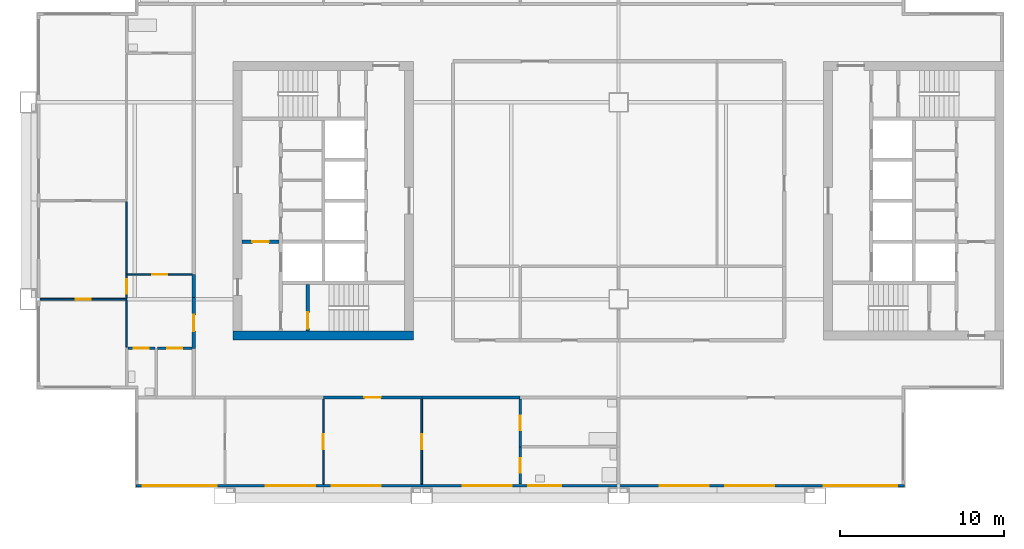
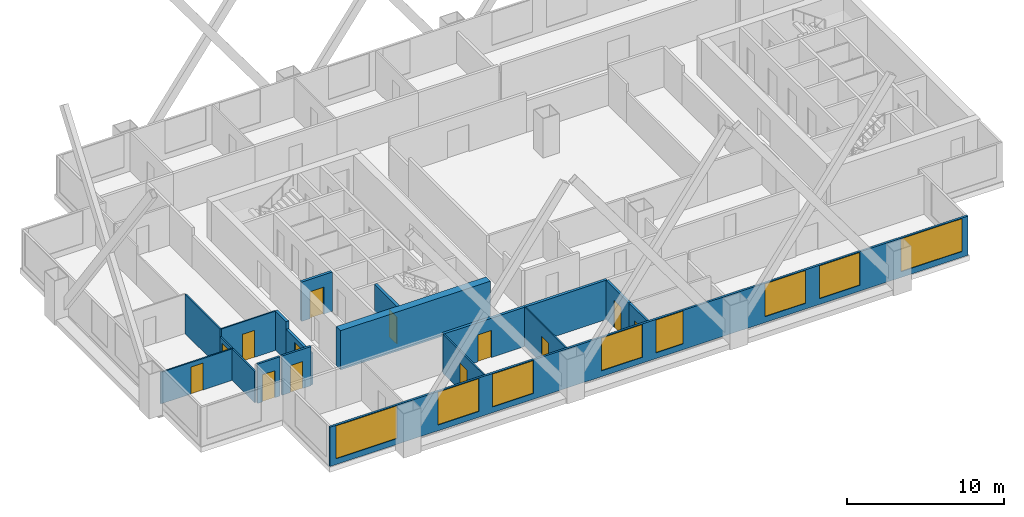
# One storey, part 2 of 8: 19 walls, 13 doors, 8 windows, 21 openings.
"""IFC4 building model written with IfcOpenShell, lengths in metres."""

from ifc_helpers import new_model, si_unit, direction, frame, frame_2d, origin, place, context, subcontext, project, spatial, rectangle, extrude, material, layer, layer_set, type_object, element, fill, save


model = new_model("IFC4")

# Units and contexts
model_context = context("Model", 3, precision=1e-05, world=origin(), true_north=direction((0.0, 1.0)))
body_context = subcontext(model_context, "Body", "Model", "MODEL_VIEW")
ifc_project = project(units=[si_unit("LENGTHUNIT", "METRE"), si_unit("AREAUNIT", "SQUARE_METRE"), si_unit("VOLUMEUNIT", "CUBIC_METRE"), si_unit("PLANEANGLEUNIT", "RADIAN"), si_unit("MASSUNIT", "GRAM", prefix="KILO")], contexts=[model_context])

# Site, building, storey
site_placement = place(None, origin())
site = spatial("IfcSite", under=ifc_project, at=site_placement, CompositionType="ELEMENT")
building_placement = place(site_placement, origin())
building = spatial("IfcBuilding", under=site, at=building_placement, Name="Kitamizu Gate Tower and Museum", CompositionType="ELEMENT")
storey_placement = place(building_placement, frame((0.0, 0.0, 158.25)))
storey = spatial("IfcBuildingStorey", under=building, at=storey_placement, Name="L41", CompositionType="ELEMENT", Elevation=158.25)

# Wall
ifc_material_1 = material(Name="Concrete Fc42", Category="concrete")
ifc_layer_1 = layer(ifc_material_1, 0.550048828125)
ifc_layer_set_1 = layer_set([ifc_layer_1], Name="Concrete Fc42")
wall_type_1 = type_object("IfcWallType", Name="Core wall 550", PredefinedType="SHEAR", material=ifc_layer_set_1)
wall_1_placement = place(storey_placement, frame((12.5, 21.77490234375, 0.0), z_axis=(0.0, 0.0, 1.0), x_axis=(1.0, 0.0, 0.0)))
element("IfcWall", 1, at=wall_1_placement, inside=storey, type_object=wall_type_1, Name="Core wall WS", PredefinedType="SHEAR", context=body_context, shape_type="SweptSolid", body=[
    extrude(rectangle(XDim=11.0, YDim=0.550048828125, at=frame_2d((5.5, 0.0))), origin(), (0.0, 0.0, 1.0), 3.050048828125),
])

# Wall, opening, door
ifc_material_2 = material(Name="Gypsum board on galvanised stud")
ifc_layer_2 = layer(ifc_material_2, 0.10009765625)
ifc_layer_set_2 = layer_set([ifc_layer_2], Name="Gypsum board on galvanised stud")
wall_type_2 = type_object("IfcWallType", Name="Partition 100 NOT RATED", PredefinedType="PARTITIONING", material=ifc_layer_set_2)
wall_2_placement = place(storey_placement, frame((18.0, 12.719970703125, 0.0), z_axis=(0.0, 0.0, 1.0), x_axis=(0.0, 1.0, 0.0)))
wall_2 = element("IfcWall", 2, at=wall_2_placement, inside=storey, type_object=wall_type_2, Name="Partition L41-005", PredefinedType="PARTITIONING", context=body_context, shape_type="SweptSolid", body=[
    extrude(rectangle(XDim=5.179931640625, YDim=0.10009765625, at=frame_2d((2.58984375, 0.0))), origin(), (0.0, 0.0, 1.0), 3.050048828125),
])
opening_1_placement = place(wall_2_placement, frame((2.139892578125, 0.0, 0.0)))
opening_1 = element("IfcOpeningElement", 3, at=opening_1_placement, cuts=wall_2, Name="Opening L41-002", PredefinedType="OPENING", context=body_context, shape_type="SweptSolid", body=[
    extrude(rectangle(XDim=0.89990234375, YDim=2.10009765625, at=frame_2d((0.449951171875, 1.050048828125))), frame((0.0, 0.06005859375, 0.0), z_axis=(0.0, -1.0, 0.0), x_axis=(1.0, 0.0, 0.0)), (0.0, 0.0, 1.0), 0.1201171875),
])
ifc_material_3 = material(Name="Timber door set", Category="wood")
door_type_1 = type_object("IfcDoorType", Name="Room door 900", OperationType="NOTDEFINED", PredefinedType="DOOR", material=ifc_material_3)
door_1_placement = place(opening_1_placement, origin())
door_1 = element("IfcDoor", 4, at=door_1_placement, inside=storey, type_object=door_type_1, Name="Door L41-002", OperationType="SINGLE_SWING_LEFT", OverallHeight=2.10009765625, OverallWidth=0.89990234375, PredefinedType="DOOR", context=body_context, shape_type="SweptSolid", body=[
    extrude(rectangle(XDim=0.89990234375, YDim=2.10009765625, at=frame_2d((0.449951171875, 1.050048828125))), frame((0.0, 0.02490234375, 0.0), z_axis=(0.0, -1.0, 0.0), x_axis=(1.0, 0.0, 0.0)), (0.0, 0.0, 1.0), 0.050048828125),
])
fill(opening_1, door_1)

wall_3_placement = place(storey_placement, frame((24.0, 12.719970703125, 0.0), z_axis=(0.0, 0.0, 1.0), x_axis=(0.0, 1.0, 0.0)))
wall_3 = element("IfcWall", 5, at=wall_3_placement, inside=storey, type_object=wall_type_2, Name="Partition L41-007", PredefinedType="PARTITIONING", context=body_context, shape_type="SweptSolid", body=[
    extrude(rectangle(XDim=5.179931640625, YDim=0.10009765625, at=frame_2d((2.58984375, 0.0))), origin(), (0.0, 0.0, 1.0), 3.050048828125),
])
opening_2_placement = place(wall_3_placement, frame((2.139892578125, 0.0, 0.0)))
opening_2 = element("IfcOpeningElement", 6, at=opening_2_placement, cuts=wall_3, Name="Opening L41-003", PredefinedType="OPENING", context=body_context, shape_type="SweptSolid", body=[
    extrude(rectangle(XDim=0.89990234375, YDim=2.10009765625, at=frame_2d((0.449951171875, 1.050048828125))), frame((0.0, 0.06005859375, 0.0), z_axis=(0.0, -1.0, 0.0), x_axis=(1.0, 0.0, 0.0)), (0.0, 0.0, 1.0), 0.1201171875),
])
door_2_placement = place(opening_2_placement, frame((0.89990234375, 0.0, 0.0), x_axis=(-1.0, 0.0, 0.0)))
door_2 = element("IfcDoor", 7, at=door_2_placement, inside=storey, type_object=door_type_1, Name="Door L41-003", OperationType="SINGLE_SWING_LEFT", OverallHeight=2.10009765625, OverallWidth=0.89990234375, PredefinedType="DOOR", context=body_context, shape_type="SweptSolid", body=[
    extrude(rectangle(XDim=0.89990234375, YDim=2.10009765625, at=frame_2d((0.449951171875, 1.050048828125))), frame((0.0, 0.02490234375, 0.0), z_axis=(0.0, -1.0, 0.0), x_axis=(1.0, 0.0, 0.0)), (0.0, 0.0, 1.0), 0.050048828125),
])
fill(opening_2, door_2)

wall_4_placement = place(storey_placement, frame((6.0, 24.0, 0.0), z_axis=(0.0, 0.0, 1.0), x_axis=(-1.0, 0.0, 0.0)))
wall_4 = element("IfcWall", 8, at=wall_4_placement, inside=storey, type_object=wall_type_2, Name="Partition L41-027", PredefinedType="PARTITIONING", context=body_context, shape_type="SweptSolid", body=[
    extrude(rectangle(XDim=5.280029296875, YDim=0.10009765625, at=frame_2d((2.64013671875, 0.0))), origin(), (0.0, 0.0, 1.0), 2.449951171875),
])
opening_3_placement = place(wall_4_placement, frame((2.18994140625, 0.0, 0.0)))
opening_3 = element("IfcOpeningElement", 9, at=opening_3_placement, cuts=wall_4, Name="Opening L41-016", PredefinedType="OPENING", context=body_context, shape_type="SweptSolid", body=[
    extrude(rectangle(XDim=0.89990234375, YDim=2.10009765625, at=frame_2d((0.449951171875, 1.050048828125))), frame((0.0, 0.06005859375, 0.0), z_axis=(0.0, -1.0, 0.0), x_axis=(1.0, 0.0, 0.0)), (0.0, 0.0, 1.0), 0.1201171875),
])
door_3_placement = place(opening_3_placement, origin())
door_3 = element("IfcDoor", 10, at=door_3_placement, inside=storey, type_object=door_type_1, Name="Door L41-016", OperationType="SINGLE_SWING_LEFT", OverallHeight=2.10009765625, OverallWidth=0.89990234375, PredefinedType="DOOR", context=body_context, shape_type="SweptSolid", body=[
    extrude(rectangle(XDim=0.89990234375, YDim=2.10009765625, at=frame_2d((0.449951171875, 1.050048828125))), frame((0.0, 0.02490234375, 0.0), z_axis=(0.0, -1.0, 0.0), x_axis=(1.0, 0.0, 0.0)), (0.0, 0.0, 1.0), 0.050048828125),
])
fill(opening_3, door_3)

# Wall
wall_5_placement = place(storey_placement, frame((6.0, 21.074951171875, 0.0), z_axis=(0.0, 0.0, 1.0), x_axis=(0.0, 1.0, 0.0)))
element("IfcWall", 11, at=wall_5_placement, inside=storey, type_object=wall_type_2, Name="Partition L41-029", PredefinedType="PARTITIONING", context=body_context, shape_type="SweptSolid", body=[
    extrude(rectangle(XDim=2.875, YDim=0.10009765625, at=frame_2d((1.4375, 0.0))), origin(), (0.0, 0.0, 1.0), 2.449951171875),
])

# Wall, opening, door
wall_6_placement = place(storey_placement, frame((6.0, 24.050048828125, 0.0), z_axis=(0.0, 0.0, 1.0), x_axis=(0.0, 1.0, 0.0)))
wall_6 = element("IfcWall", 12, at=wall_6_placement, inside=storey, type_object=wall_type_2, Name="Partition L41-031", PredefinedType="PARTITIONING", context=body_context, shape_type="SweptSolid", body=[
    extrude(rectangle(XDim=1.449951171875, YDim=0.10009765625, at=frame_2d((0.72509765625, 0.0))), origin(), (0.0, 0.0, 1.0), 2.449951171875),
])
opening_4_placement = place(wall_6_placement, frame((0.27490234375, 0.0, 0.0)))
opening_4 = element("IfcOpeningElement", 13, at=opening_4_placement, cuts=wall_6, Name="Opening L41-013", PredefinedType="OPENING", context=body_context, shape_type="SweptSolid", body=[
    extrude(rectangle(XDim=0.89990234375, YDim=2.10009765625, at=frame_2d((0.449951171875, 1.050048828125))), frame((0.0, 0.06005859375, 0.0), z_axis=(0.0, -1.0, 0.0), x_axis=(1.0, 0.0, 0.0)), (0.0, 0.0, 1.0), 0.1201171875),
])
door_4_placement = place(opening_4_placement, origin())
door_4 = element("IfcDoor", 14, at=door_4_placement, inside=storey, type_object=door_type_1, Name="Door L41-013", OperationType="SINGLE_SWING_RIGHT", OverallHeight=2.10009765625, OverallWidth=0.89990234375, PredefinedType="DOOR", context=body_context, shape_type="SweptSolid", body=[
    extrude(rectangle(XDim=0.89990234375, YDim=2.10009765625, at=frame_2d((0.449951171875, 1.050048828125))), frame((0.0, 0.02490234375, 0.0), z_axis=(0.0, -1.0, 0.0), x_axis=(1.0, 0.0, 0.0)), (0.0, 0.0, 1.0), 0.050048828125),
])
fill(opening_4, door_4)

# Wall
wall_7_placement = place(storey_placement, frame((6.0, 25.5, 0.0), z_axis=(0.0, 0.0, 1.0), x_axis=(0.0, 1.0, 0.0)))
element("IfcWall", 15, at=wall_7_placement, inside=storey, type_object=wall_type_2, Name="Partition L41-032", PredefinedType="PARTITIONING", context=body_context, shape_type="SweptSolid", body=[
    extrude(rectangle(XDim=4.449951171875, YDim=0.10009765625, at=frame_2d((2.22509765625, 0.0))), origin(), (0.0, 0.0, 1.0), 3.050048828125),
])

# Wall, opening, door
wall_8_placement = place(storey_placement, frame((10.0, 25.5, 0.0), z_axis=(0.0, 0.0, 1.0), x_axis=(-1.0, 0.0, 0.0)))
wall_8 = element("IfcWall", 16, at=wall_8_placement, inside=storey, type_object=wall_type_2, Name="Partition L41-040", PredefinedType="PARTITIONING", context=body_context, shape_type="SweptSolid", body=[
    extrude(rectangle(XDim=3.949951171875, YDim=0.10009765625, at=frame_2d((1.97509765625, 0.0))), origin(), (0.0, 0.0, 1.0), 3.050048828125),
])
opening_5_placement = place(wall_8_placement, frame((1.52490234375, 0.0, 0.0)))
opening_5 = element("IfcOpeningElement", 17, at=opening_5_placement, cuts=wall_8, Name="Opening L41-014", PredefinedType="OPENING", context=body_context, shape_type="SweptSolid", body=[
    extrude(rectangle(XDim=0.89990234375, YDim=2.10009765625, at=frame_2d((0.449951171875, 1.050048828125))), frame((0.0, 0.06005859375, 0.0), z_axis=(0.0, -1.0, 0.0), x_axis=(1.0, 0.0, 0.0)), (0.0, 0.0, 1.0), 0.1201171875),
])
door_5_placement = place(opening_5_placement, origin())
door_5 = element("IfcDoor", 18, at=door_5_placement, inside=storey, type_object=door_type_1, Name="Door L41-014", OperationType="SINGLE_SWING_LEFT", OverallHeight=2.10009765625, OverallWidth=0.89990234375, PredefinedType="DOOR", context=body_context, shape_type="SweptSolid", body=[
    extrude(rectangle(XDim=0.89990234375, YDim=2.10009765625, at=frame_2d((0.449951171875, 1.050048828125))), frame((0.0, 0.02490234375, 0.0), z_axis=(0.0, -1.0, 0.0), x_axis=(1.0, 0.0, 0.0)), (0.0, 0.0, 1.0), 0.050048828125),
])
fill(opening_5, door_5)

ifc_material_4 = material(Name="Gypsum board on galvanised stud")
ifc_layer_3 = layer(ifc_material_4, 0.14990234375)
ifc_layer_set_3 = layer_set([ifc_layer_3], Name="Gypsum board on galvanised stud")
wall_type_3 = type_object("IfcWallType", Name="Partition 150", PredefinedType="PARTITIONING", material=ifc_layer_set_3)
wall_9_placement = place(storey_placement, frame((30.0, 12.719970703125, 0.0), z_axis=(0.0, 0.0, 1.0), x_axis=(0.0, 1.0, 0.0)))
wall_9 = element("IfcWall", 19, at=wall_9_placement, inside=storey, type_object=wall_type_3, Name="Partition L41-009", PredefinedType="PARTITIONING", context=body_context, shape_type="SweptSolid", body=[
    extrude(rectangle(XDim=2.280029296875, YDim=0.14990234375, at=frame_2d((1.14013671875, 0.0))), origin(), (0.0, 0.0, 1.0), 3.050048828125),
])
opening_6_placement = place(wall_9_placement, frame((0.68994140625, 0.0, 0.0)))
opening_6 = element("IfcOpeningElement", 20, at=opening_6_placement, cuts=wall_9, Name="Opening L41-004", PredefinedType="OPENING", context=body_context, shape_type="SweptSolid", body=[
    extrude(rectangle(XDim=0.89990234375, YDim=2.10009765625, at=frame_2d((0.449951171875, 1.050048828125))), frame((0.0, 0.0849609375, 0.0), z_axis=(0.0, -1.0, 0.0), x_axis=(1.0, 0.0, 0.0)), (0.0, 0.0, 1.0), 0.169921875),
])
ifc_material_5 = material(Name="Timber door set", Category="wood")
door_type_2 = type_object("IfcDoorType", Name="Bathroom door 900", OperationType="NOTDEFINED", PredefinedType="DOOR", material=ifc_material_5)
door_6_placement = place(opening_6_placement, frame((0.89990234375, 0.0, 0.0), x_axis=(-1.0, 0.0, 0.0)))
door_6 = element("IfcDoor", 21, at=door_6_placement, inside=storey, type_object=door_type_2, Name="Bathroom door L41-004", OperationType="SINGLE_SWING_RIGHT", OverallHeight=2.10009765625, OverallWidth=0.89990234375, PredefinedType="DOOR", context=body_context, shape_type="SweptSolid", body=[
    extrude(rectangle(XDim=0.89990234375, YDim=2.10009765625, at=frame_2d((0.449951171875, 1.050048828125))), frame((0.0, 0.02490234375, 0.0), z_axis=(0.0, -1.0, 0.0), x_axis=(1.0, 0.0, 0.0)), (0.0, 0.0, 1.0), 0.050048828125),
])
fill(opening_6, door_6)

wall_10_placement = place(storey_placement, frame((30.0, 15.0, 0.0), z_axis=(0.0, 0.0, 1.0), x_axis=(0.0, 1.0, 0.0)))
wall_10 = element("IfcWall", 22, at=wall_10_placement, inside=storey, type_object=wall_type_3, Name="Partition L41-010", PredefinedType="PARTITIONING", context=body_context, shape_type="SweptSolid", body=[
    extrude(rectangle(XDim=2.89990234375, YDim=0.14990234375, at=frame_2d((1.449951171875, 0.0))), origin(), (0.0, 0.0, 1.0), 3.050048828125),
])
opening_7_placement = place(wall_10_placement, frame((1.0, 0.0, 0.0)))
opening_7 = element("IfcOpeningElement", 23, at=opening_7_placement, cuts=wall_10, Name="Opening L41-006", PredefinedType="OPENING", context=body_context, shape_type="SweptSolid", body=[
    extrude(rectangle(XDim=0.89990234375, YDim=2.10009765625, at=frame_2d((0.449951171875, 1.050048828125))), frame((0.0, 0.0849609375, 0.0), z_axis=(0.0, -1.0, 0.0), x_axis=(1.0, 0.0, 0.0)), (0.0, 0.0, 1.0), 0.169921875),
])
door_7_placement = place(opening_7_placement, frame((0.89990234375, 0.0, 0.0), x_axis=(-1.0, 0.0, 0.0)))
door_7 = element("IfcDoor", 24, at=door_7_placement, inside=storey, type_object=door_type_2, Name="Bathroom door L41-006", OperationType="SINGLE_SWING_RIGHT", OverallHeight=2.10009765625, OverallWidth=0.89990234375, PredefinedType="DOOR", context=body_context, shape_type="SweptSolid", body=[
    extrude(rectangle(XDim=0.89990234375, YDim=2.10009765625, at=frame_2d((0.449951171875, 1.050048828125))), frame((0.0, 0.02490234375, 0.0), z_axis=(0.0, -1.0, 0.0), x_axis=(1.0, 0.0, 0.0)), (0.0, 0.0, 1.0), 0.050048828125),
])
fill(opening_7, door_7)

wall_11_placement = place(storey_placement, frame((7.72509765625, 21.0, 0.0), z_axis=(0.0, 0.0, 1.0), x_axis=(-1.0, 0.0, 0.0)))
wall_11 = element("IfcWall", 25, at=wall_11_placement, inside=storey, type_object=wall_type_3, Name="Partition L41-037", PredefinedType="PARTITIONING", context=body_context, shape_type="SweptSolid", body=[
    extrude(rectangle(XDim=1.650146484375, YDim=0.14990234375, at=frame_2d((0.8251953125, 0.0))), origin(), (0.0, 0.0, 1.0), 3.050048828125),
])
opening_8_placement = place(wall_11_placement, frame((0.375, 0.0, 0.0)))
opening_8 = element("IfcOpeningElement", 26, at=opening_8_placement, cuts=wall_11, Name="Opening L41-017", PredefinedType="OPENING", context=body_context, shape_type="SweptSolid", body=[
    extrude(rectangle(XDim=0.89990234375, YDim=2.10009765625, at=frame_2d((0.449951171875, 1.050048828125))), frame((0.0, 0.0849609375, 0.0), z_axis=(0.0, -1.0, 0.0), x_axis=(1.0, 0.0, 0.0)), (0.0, 0.0, 1.0), 0.169921875),
])
door_8_placement = place(opening_8_placement, origin())
door_8 = element("IfcDoor", 27, at=door_8_placement, inside=storey, type_object=door_type_2, Name="Bathroom door L41-017", OperationType="SINGLE_SWING_RIGHT", OverallHeight=2.10009765625, OverallWidth=0.89990234375, PredefinedType="DOOR", context=body_context, shape_type="SweptSolid", body=[
    extrude(rectangle(XDim=0.89990234375, YDim=2.10009765625, at=frame_2d((0.449951171875, 1.050048828125))), frame((0.0, 0.02490234375, 0.0), z_axis=(0.0, -1.0, 0.0), x_axis=(1.0, 0.0, 0.0)), (0.0, 0.0, 1.0), 0.050048828125),
])
fill(opening_8, door_8)

wall_12_placement = place(storey_placement, frame((10.0, 21.0, 0.0), z_axis=(0.0, 0.0, 1.0), x_axis=(-1.0, 0.0, 0.0)))
wall_12 = element("IfcWall", 28, at=wall_12_placement, inside=storey, type_object=wall_type_3, Name="Partition L41-038", PredefinedType="PARTITIONING", context=body_context, shape_type="SweptSolid", body=[
    extrude(rectangle(XDim=2.125, YDim=0.14990234375, at=frame_2d((1.0625, 0.0))), origin(), (0.0, 0.0, 1.0), 3.050048828125),
])
opening_9_placement = place(wall_12_placement, frame((0.612548828125, 0.0, 0.0)))
opening_9 = element("IfcOpeningElement", 29, at=opening_9_placement, cuts=wall_12, Name="Opening L41-018", PredefinedType="OPENING", context=body_context, shape_type="SweptSolid", body=[
    extrude(rectangle(XDim=0.89990234375, YDim=2.10009765625, at=frame_2d((0.449951171875, 1.050048828125))), frame((0.0, 0.0849609375, 0.0), z_axis=(0.0, -1.0, 0.0), x_axis=(1.0, 0.0, 0.0)), (0.0, 0.0, 1.0), 0.169921875),
])
door_9_placement = place(opening_9_placement, origin())
door_9 = element("IfcDoor", 30, at=door_9_placement, inside=storey, type_object=door_type_2, Name="Bathroom door L41-018", OperationType="SINGLE_SWING_LEFT", OverallHeight=2.10009765625, OverallWidth=0.89990234375, PredefinedType="DOOR", context=body_context, shape_type="SweptSolid", body=[
    extrude(rectangle(XDim=0.89990234375, YDim=2.10009765625, at=frame_2d((0.449951171875, 1.050048828125))), frame((0.0, 0.02490234375, 0.0), z_axis=(0.0, -1.0, 0.0), x_axis=(1.0, 0.0, 0.0)), (0.0, 0.0, 1.0), 0.050048828125),
])
fill(opening_9, door_9)

ifc_material_6 = material(Name="Gypsum board on galvanised stud")
ifc_layer_4 = layer(ifc_material_6, 0.199951171875)
ifc_layer_set_4 = layer_set([ifc_layer_4], Name="Gypsum board on galvanised stud")
wall_type_4 = type_object("IfcWallType", Name="Partition 200", PredefinedType="PARTITIONING", material=ifc_layer_set_4)
wall_13_placement = place(storey_placement, frame((24.0, 18.0, 0.0), z_axis=(0.0, 0.0, 1.0), x_axis=(-1.0, 0.0, 0.0)))
wall_13 = element("IfcWall", 31, at=wall_13_placement, inside=storey, type_object=wall_type_4, Name="Partition L41-008", PredefinedType="PARTITIONING", context=body_context, shape_type="SweptSolid", body=[
    extrude(rectangle(XDim=6.0, YDim=0.199951171875, at=frame_2d((3.0, 0.0))), origin(), (0.0, 0.0, 1.0), 3.050048828125),
])
opening_10_placement = place(wall_13_placement, frame((2.5, 0.0, 0.0)))
opening_10 = element("IfcOpeningElement", 32, at=opening_10_placement, cuts=wall_13, Name="Opening L41-001", PredefinedType="OPENING", context=body_context, shape_type="SweptSolid", body=[
    extrude(rectangle(XDim=1.0, YDim=2.10009765625, at=frame_2d((0.5, 1.050048828125))), frame((0.0, 0.10986328125, 0.0), z_axis=(0.0, -1.0, 0.0), x_axis=(1.0, 0.0, 0.0)), (0.0, 0.0, 1.0), 0.219970703125),
])
ifc_material_7 = material(Name="Timber door set", Category="wood")
door_type_3 = type_object("IfcDoorType", Name="Flat entrance door 1000", OperationType="NOTDEFINED", PredefinedType="DOOR", material=ifc_material_7)
door_10_placement = place(opening_10_placement, origin())
door_10 = element("IfcDoor", 33, at=door_10_placement, inside=storey, type_object=door_type_3, Name="Flat entrance door L41-001", OperationType="SINGLE_SWING_RIGHT", OverallHeight=2.10009765625, OverallWidth=1.0, PredefinedType="DOOR", context=body_context, shape_type="SweptSolid", body=[
    extrude(rectangle(XDim=1.0, YDim=2.10009765625, at=frame_2d((0.5, 1.050048828125))), frame((0.0, 0.02490234375, 0.0), z_axis=(0.0, -1.0, 0.0), x_axis=(1.0, 0.0, 0.0)), (0.0, 0.0, 1.0), 0.050048828125),
])
fill(opening_10, door_10)

# Wall
wall_14_placement = place(storey_placement, frame((30.0, 18.0, 0.0), z_axis=(0.0, 0.0, 1.0), x_axis=(-1.0, 0.0, 0.0)))
element("IfcWall", 34, at=wall_14_placement, inside=storey, type_object=wall_type_4, Name="Partition L41-011", PredefinedType="PARTITIONING", context=body_context, shape_type="SweptSolid", body=[
    extrude(rectangle(XDim=6.0, YDim=0.199951171875, at=frame_2d((3.0, 0.0))), origin(), (0.0, 0.0, 1.0), 3.050048828125),
])

# Wall, opening, door
wall_15_placement = place(storey_placement, frame((10.10009765625, 21.0, 0.0), z_axis=(0.0, 0.0, 1.0), x_axis=(0.0, 1.0, 0.0)))
wall_15 = element("IfcWall", 35, at=wall_15_placement, inside=storey, type_object=wall_type_4, Name="Partition L41-041", PredefinedType="PARTITIONING", context=body_context, shape_type="SweptSolid", body=[
    extrude(rectangle(XDim=3.10009765625, YDim=0.199951171875, at=frame_2d((1.550048828125, 0.0))), origin(), (0.0, 0.0, 1.0), 2.449951171875),
])
opening_11_placement = place(wall_15_placement, frame((1.050048828125, 0.0, 0.0)))
opening_11 = element("IfcOpeningElement", 36, at=opening_11_placement, cuts=wall_15, Name="Opening L41-012", PredefinedType="OPENING", context=body_context, shape_type="SweptSolid", body=[
    extrude(rectangle(XDim=1.0, YDim=2.10009765625, at=frame_2d((0.5, 1.050048828125))), frame((0.0, 0.10986328125, 0.0), z_axis=(0.0, -1.0, 0.0), x_axis=(1.0, 0.0, 0.0)), (0.0, 0.0, 1.0), 0.219970703125),
])
door_11_placement = place(opening_11_placement, origin())
door_11 = element("IfcDoor", 37, at=door_11_placement, inside=storey, type_object=door_type_3, Name="Flat entrance door L41-012", OperationType="SINGLE_SWING_RIGHT", OverallHeight=2.10009765625, OverallWidth=1.0, PredefinedType="DOOR", context=body_context, shape_type="SweptSolid", body=[
    extrude(rectangle(XDim=1.0, YDim=2.10009765625, at=frame_2d((0.5, 1.050048828125))), frame((0.0, 0.02490234375, 0.0), z_axis=(0.0, -1.0, 0.0), x_axis=(1.0, 0.0, 0.0)), (0.0, 0.0, 1.0), 0.050048828125),
])
fill(opening_11, door_11)

# Wall
wall_16_placement = place(storey_placement, frame((10.10009765625, 24.10009765625, 0.0), z_axis=(0.0, 0.0, 1.0), x_axis=(0.0, 1.0, 0.0)))
element("IfcWall", 38, at=wall_16_placement, inside=storey, type_object=wall_type_4, Name="Partition L41-042", PredefinedType="PARTITIONING", context=body_context, shape_type="SweptSolid", body=[
    extrude(rectangle(XDim=1.39990234375, YDim=0.199951171875, at=frame_2d((0.699951171875, 0.0))), origin(), (0.0, 0.0, 1.0), 3.050048828125),
])

# Wall, opening, door
ifc_material_8 = material(Name="Concrete Fc42", Category="concrete")
ifc_layer_5 = layer(ifc_material_8, 0.199951171875)
ifc_layer_set_5 = layer_set([ifc_layer_5], Name="Concrete Fc42")
wall_type_5 = type_object("IfcWallType", Name="Shaft wall 200", PredefinedType="SOLIDWALL", material=ifc_layer_set_5)
wall_17_placement = place(storey_placement, frame((13.050048828125, 27.5, 0.0), z_axis=(0.0, 0.0, 1.0), x_axis=(1.0, 0.0, 0.0)))
wall_17 = element("IfcWall", 39, at=wall_17_placement, inside=storey, type_object=wall_type_5, Name="Shaft wall WFFN", PredefinedType="SOLIDWALL", context=body_context, shape_type="SweptSolid", body=[
    extrude(rectangle(XDim=2.25, YDim=0.199951171875, at=frame_2d((1.125, 0.0))), origin(), (0.0, 0.0, 1.0), 3.050048828125),
])
opening_12_placement = place(wall_17_placement, frame((0.625, 0.0, 0.0)))
opening_12 = element("IfcOpeningElement", 40, at=opening_12_placement, cuts=wall_17, Name="Opening L41-031", PredefinedType="OPENING", context=body_context, shape_type="SweptSolid", body=[
    extrude(rectangle(XDim=1.0, YDim=2.10009765625, at=frame_2d((0.5, 1.050048828125))), frame((0.0, 0.10986328125, 0.0), z_axis=(0.0, -1.0, 0.0), x_axis=(1.0, 0.0, 0.0)), (0.0, 0.0, 1.0), 0.219970703125),
])
ifc_material_9 = material(Name="Hollow metal door set")
door_type_4 = type_object("IfcDoorType", Name="Fire door 1000", OperationType="NOTDEFINED", PredefinedType="DOOR", material=ifc_material_9)
door_12_placement = place(opening_12_placement, frame((1.0, 0.0, 0.0), x_axis=(-1.0, 0.0, 0.0)))
door_12 = element("IfcDoor", 41, at=door_12_placement, inside=storey, type_object=door_type_4, Name="Fire-fighting lobby door L41-031", OperationType="SINGLE_SWING_RIGHT", OverallHeight=2.10009765625, OverallWidth=1.0, PredefinedType="DOOR", context=body_context, shape_type="SweptSolid", body=[
    extrude(rectangle(XDim=1.0, YDim=2.10009765625, at=frame_2d((0.5, 1.050048828125))), frame((0.0, 0.02490234375, 0.0), z_axis=(0.0, -1.0, 0.0), x_axis=(1.0, 0.0, 0.0)), (0.0, 0.0, 1.0), 0.050048828125),
])
fill(opening_12, door_12)

wall_18_placement = place(storey_placement, frame((17.050048828125, 22.050048828125, 0.0), z_axis=(0.0, 0.0, 1.0), x_axis=(0.0, 1.0, 0.0)))
wall_18 = element("IfcWall", 42, at=wall_18_placement, inside=storey, type_object=wall_type_5, Name="Shaft wall WSZ", PredefinedType="SOLIDWALL", context=body_context, shape_type="SweptSolid", body=[
    extrude(rectangle(XDim=2.849853515625, YDim=0.199951171875, at=frame_2d((1.4248046875, 0.0))), origin(), (0.0, 0.0, 1.0), 3.050048828125),
])
opening_13_placement = place(wall_18_placement, frame((0.14990234375, 0.0, 0.0)))
opening_13 = element("IfcOpeningElement", 43, at=opening_13_placement, cuts=wall_18, Name="Opening L41-027", PredefinedType="OPENING", context=body_context, shape_type="SweptSolid", body=[
    extrude(rectangle(XDim=1.0, YDim=2.10009765625, at=frame_2d((0.5, 1.050048828125))), frame((0.0, 0.10986328125, 0.0), z_axis=(0.0, -1.0, 0.0), x_axis=(1.0, 0.0, 0.0)), (0.0, 0.0, 1.0), 0.219970703125),
])
door_13_placement = place(opening_13_placement, frame((1.0, 0.0, 0.0), x_axis=(-1.0, 0.0, 0.0)))
door_13 = element("IfcDoor", 44, at=door_13_placement, inside=storey, type_object=door_type_4, Name="Stair door L41-027", OperationType="SINGLE_SWING_LEFT", OverallHeight=2.10009765625, OverallWidth=1.0, PredefinedType="DOOR", context=body_context, shape_type="SweptSolid", body=[
    extrude(rectangle(XDim=1.0, YDim=2.10009765625, at=frame_2d((0.5, 1.050048828125))), frame((0.0, 0.02490234375, 0.0), z_axis=(0.0, -1.0, 0.0), x_axis=(1.0, 0.0, 0.0)), (0.0, 0.0, 1.0), 0.050048828125),
])
fill(opening_13, door_13)

# Wall, openings, windows
ifc_material_10 = material(Name="Bronze anodised aluminium frame with insulated spandrel and tinted glass", Category="aluminium")
ifc_layer_6 = layer(ifc_material_10, 0.14990234375)
ifc_layer_set_6 = layer_set([ifc_layer_6], Name="Bronze anodised aluminium frame with insulated spandrel and tinted glass")
wall_type_6 = type_object("IfcWallType", Name="WINDOW WALL 150 BRONZE FRAME EI 30", PredefinedType="ELEMENTEDWALL", material=ifc_layer_set_6)
wall_19_placement = place(storey_placement, frame((6.56005859375, 12.635009765625, 0.0), z_axis=(0.0, 0.0, 1.0), x_axis=(1.0, 0.0, 0.0)))
wall_19 = element("IfcWall", 45, at=wall_19_placement, inside=storey, type_object=wall_type_6, Name="Window wall south L41", PredefinedType="ELEMENTEDWALL", context=body_context, shape_type="SweptSolid", body=[
    extrude(rectangle(XDim=46.8798828125, YDim=0.14990234375, at=frame_2d((23.43994140625, 0.0))), origin(), (0.0, 0.0, 1.0), 3.050048828125),
])
opening_14_placement = place(wall_19_placement, frame((0.43994140625, 0.0, 0.449951171875)))
opening_14 = element("IfcOpeningElement", 46, at=opening_14_placement, cuts=wall_19, Name="Opening W15", PredefinedType="OPENING", context=body_context, shape_type="SweptSolid", body=[
    extrude(rectangle(XDim=4.5, YDim=2.550048828125, at=frame_2d((2.25, 1.27490234375))), frame((0.0, 0.0849609375, 0.0), z_axis=(0.0, -1.0, 0.0), x_axis=(1.0, 0.0, 0.0)), (0.0, 0.0, 1.0), 0.169921875),
])
opening_15_placement = place(wall_19_placement, frame((7.93994140625, 0.0, 0.449951171875)))
opening_15 = element("IfcOpeningElement", 47, at=opening_15_placement, cuts=wall_19, Name="Opening W33", PredefinedType="OPENING", context=body_context, shape_type="SweptSolid", body=[
    extrude(rectangle(XDim=3.0, YDim=2.550048828125, at=frame_2d((1.5, 1.27490234375))), frame((0.0, 0.0849609375, 0.0), z_axis=(0.0, -1.0, 0.0), x_axis=(1.0, 0.0, 0.0)), (0.0, 0.0, 1.0), 0.169921875),
])
opening_16_placement = place(wall_19_placement, frame((11.93994140625, 0.0, 0.449951171875)))
opening_16 = element("IfcOpeningElement", 48, at=opening_16_placement, cuts=wall_19, Name="Opening W33", PredefinedType="OPENING", context=body_context, shape_type="SweptSolid", body=[
    extrude(rectangle(XDim=3.0, YDim=2.550048828125, at=frame_2d((1.5, 1.27490234375))), frame((0.0, 0.0849609375, 0.0), z_axis=(0.0, -1.0, 0.0), x_axis=(1.0, 0.0, 0.0)), (0.0, 0.0, 1.0), 0.169921875),
])
opening_17_placement = place(wall_19_placement, frame((19.93994140625, 0.0, 0.449951171875)))
opening_17 = element("IfcOpeningElement", 49, at=opening_17_placement, cuts=wall_19, Name="Opening W33", PredefinedType="OPENING", context=body_context, shape_type="SweptSolid", body=[
    extrude(rectangle(XDim=3.0, YDim=2.550048828125, at=frame_2d((1.5, 1.27490234375))), frame((0.0, 0.0849609375, 0.0), z_axis=(0.0, -1.0, 0.0), x_axis=(1.0, 0.0, 0.0)), (0.0, 0.0, 1.0), 0.169921875),
])
opening_18_placement = place(wall_19_placement, frame((23.93994140625, 0.0, 0.449951171875)))
opening_18 = element("IfcOpeningElement", 50, at=opening_18_placement, cuts=wall_19, Name="Opening W2", PredefinedType="OPENING", context=body_context, shape_type="SweptSolid", body=[
    extrude(rectangle(XDim=2.0, YDim=2.550048828125, at=frame_2d((1.0, 1.27490234375))), frame((0.0, 0.0849609375, 0.0), z_axis=(0.0, -1.0, 0.0), x_axis=(1.0, 0.0, 0.0)), (0.0, 0.0, 1.0), 0.169921875),
])
opening_19_placement = place(wall_19_placement, frame((31.93994140625, 0.0, 0.449951171875)))
opening_19 = element("IfcOpeningElement", 51, at=opening_19_placement, cuts=wall_19, Name="Opening W33", PredefinedType="OPENING", context=body_context, shape_type="SweptSolid", body=[
    extrude(rectangle(XDim=3.0, YDim=2.550048828125, at=frame_2d((1.5, 1.27490234375))), frame((0.0, 0.0849609375, 0.0), z_axis=(0.0, -1.0, 0.0), x_axis=(1.0, 0.0, 0.0)), (0.0, 0.0, 1.0), 0.169921875),
])
opening_20_placement = place(wall_19_placement, frame((35.93994140625, 0.0, 0.449951171875)))
opening_20 = element("IfcOpeningElement", 52, at=opening_20_placement, cuts=wall_19, Name="Opening W33", PredefinedType="OPENING", context=body_context, shape_type="SweptSolid", body=[
    extrude(rectangle(XDim=3.0, YDim=2.550048828125, at=frame_2d((1.5, 1.27490234375))), frame((0.0, 0.0849609375, 0.0), z_axis=(0.0, -1.0, 0.0), x_axis=(1.0, 0.0, 0.0)), (0.0, 0.0, 1.0), 0.169921875),
])
opening_21_placement = place(wall_19_placement, frame((41.93994140625, 0.0, 0.449951171875)))
opening_21 = element("IfcOpeningElement", 53, at=opening_21_placement, cuts=wall_19, Name="Opening W15", PredefinedType="OPENING", context=body_context, shape_type="SweptSolid", body=[
    extrude(rectangle(XDim=4.5, YDim=2.550048828125, at=frame_2d((2.25, 1.27490234375))), frame((0.0, 0.0849609375, 0.0), z_axis=(0.0, -1.0, 0.0), x_axis=(1.0, 0.0, 0.0)), (0.0, 0.0, 1.0), 0.169921875),
])
ifc_material_11 = material(Name="Bronze anodised aluminium frame, tinted triple glazing", Category="aluminium")
window_type_1 = type_object("IfcWindowType", Name="WINDOW 2000 x 2550 SILL 450", PartitioningType="SINGLE_PANEL", PredefinedType="WINDOW", material=ifc_material_11)
window_1_placement = place(opening_18_placement, origin())
window_1 = element("IfcWindow", 54, at=window_1_placement, inside=storey, type_object=window_type_1, Name="Window W2 L41", OverallHeight=2.550048828125, OverallWidth=2.0, PartitioningType="SINGLE_PANEL", PredefinedType="WINDOW", context=body_context, shape_type="SweptSolid", body=[
    extrude(rectangle(XDim=2.0, YDim=2.550048828125, at=frame_2d((1.0, 1.27490234375))), frame((0.0, 0.030029296875, 0.0), z_axis=(0.0, -1.0, 0.0), x_axis=(1.0, 0.0, 0.0)), (0.0, 0.0, 1.0), 0.06005859375),
])
fill(opening_18, window_1)
ifc_material_12 = material(Name="Bronze anodised aluminium frame, tinted triple glazing", Category="aluminium")
window_type_2 = type_object("IfcWindowType", Name="WINDOW 3000 x 2550 SILL 450", PartitioningType="SINGLE_PANEL", PredefinedType="WINDOW", material=ifc_material_12)
window_2_placement = place(opening_15_placement, origin())
window_2 = element("IfcWindow", 55, at=window_2_placement, inside=storey, type_object=window_type_2, Name="Window W33 L41", OverallHeight=2.550048828125, OverallWidth=3.0, PartitioningType="SINGLE_PANEL", PredefinedType="WINDOW", context=body_context, shape_type="SweptSolid", body=[
    extrude(rectangle(XDim=3.0, YDim=2.550048828125, at=frame_2d((1.5, 1.27490234375))), frame((0.0, 0.030029296875, 0.0), z_axis=(0.0, -1.0, 0.0), x_axis=(1.0, 0.0, 0.0)), (0.0, 0.0, 1.0), 0.06005859375),
])
fill(opening_15, window_2)
window_3_placement = place(opening_16_placement, origin())
window_3 = element("IfcWindow", 56, at=window_3_placement, inside=storey, type_object=window_type_2, Name="Window W33 L41", OverallHeight=2.550048828125, OverallWidth=3.0, PartitioningType="SINGLE_PANEL", PredefinedType="WINDOW", context=body_context, shape_type="SweptSolid", body=[
    extrude(rectangle(XDim=3.0, YDim=2.550048828125, at=frame_2d((1.5, 1.27490234375))), frame((0.0, 0.030029296875, 0.0), z_axis=(0.0, -1.0, 0.0), x_axis=(1.0, 0.0, 0.0)), (0.0, 0.0, 1.0), 0.06005859375),
])
fill(opening_16, window_3)
window_4_placement = place(opening_17_placement, origin())
window_4 = element("IfcWindow", 57, at=window_4_placement, inside=storey, type_object=window_type_2, Name="Window W33 L41", OverallHeight=2.550048828125, OverallWidth=3.0, PartitioningType="SINGLE_PANEL", PredefinedType="WINDOW", context=body_context, shape_type="SweptSolid", body=[
    extrude(rectangle(XDim=3.0, YDim=2.550048828125, at=frame_2d((1.5, 1.27490234375))), frame((0.0, 0.030029296875, 0.0), z_axis=(0.0, -1.0, 0.0), x_axis=(1.0, 0.0, 0.0)), (0.0, 0.0, 1.0), 0.06005859375),
])
fill(opening_17, window_4)
window_5_placement = place(opening_19_placement, origin())
window_5 = element("IfcWindow", 58, at=window_5_placement, inside=storey, type_object=window_type_2, Name="Window W33 L41", OverallHeight=2.550048828125, OverallWidth=3.0, PartitioningType="SINGLE_PANEL", PredefinedType="WINDOW", context=body_context, shape_type="SweptSolid", body=[
    extrude(rectangle(XDim=3.0, YDim=2.550048828125, at=frame_2d((1.5, 1.27490234375))), frame((0.0, 0.030029296875, 0.0), z_axis=(0.0, -1.0, 0.0), x_axis=(1.0, 0.0, 0.0)), (0.0, 0.0, 1.0), 0.06005859375),
])
fill(opening_19, window_5)
window_6_placement = place(opening_20_placement, origin())
window_6 = element("IfcWindow", 59, at=window_6_placement, inside=storey, type_object=window_type_2, Name="Window W33 L41", OverallHeight=2.550048828125, OverallWidth=3.0, PartitioningType="SINGLE_PANEL", PredefinedType="WINDOW", context=body_context, shape_type="SweptSolid", body=[
    extrude(rectangle(XDim=3.0, YDim=2.550048828125, at=frame_2d((1.5, 1.27490234375))), frame((0.0, 0.030029296875, 0.0), z_axis=(0.0, -1.0, 0.0), x_axis=(1.0, 0.0, 0.0)), (0.0, 0.0, 1.0), 0.06005859375),
])
fill(opening_20, window_6)
ifc_material_13 = material(Name="Bronze anodised aluminium frame, tinted triple glazing", Category="aluminium")
window_type_3 = type_object("IfcWindowType", Name="WINDOW 4500 x 2550 SILL 450", PartitioningType="SINGLE_PANEL", PredefinedType="WINDOW", material=ifc_material_13)
window_7_placement = place(opening_14_placement, origin())
window_7 = element("IfcWindow", 60, at=window_7_placement, inside=storey, type_object=window_type_3, Name="Window W15 L41", OverallHeight=2.550048828125, OverallWidth=4.5, PartitioningType="SINGLE_PANEL", PredefinedType="WINDOW", context=body_context, shape_type="SweptSolid", body=[
    extrude(rectangle(XDim=4.5, YDim=2.550048828125, at=frame_2d((2.25, 1.27490234375))), frame((0.0, 0.030029296875, 0.0), z_axis=(0.0, -1.0, 0.0), x_axis=(1.0, 0.0, 0.0)), (0.0, 0.0, 1.0), 0.06005859375),
])
fill(opening_14, window_7)
window_8_placement = place(opening_21_placement, origin())
window_8 = element("IfcWindow", 61, at=window_8_placement, inside=storey, type_object=window_type_3, Name="Window W15 L41", OverallHeight=2.550048828125, OverallWidth=4.5, PartitioningType="SINGLE_PANEL", PredefinedType="WINDOW", context=body_context, shape_type="SweptSolid", body=[
    extrude(rectangle(XDim=4.5, YDim=2.550048828125, at=frame_2d((2.25, 1.27490234375))), frame((0.0, 0.030029296875, 0.0), z_axis=(0.0, -1.0, 0.0), x_axis=(1.0, 0.0, 0.0)), (0.0, 0.0, 1.0), 0.06005859375),
])
fill(opening_21, window_8)

save(model, "model.ifc")
